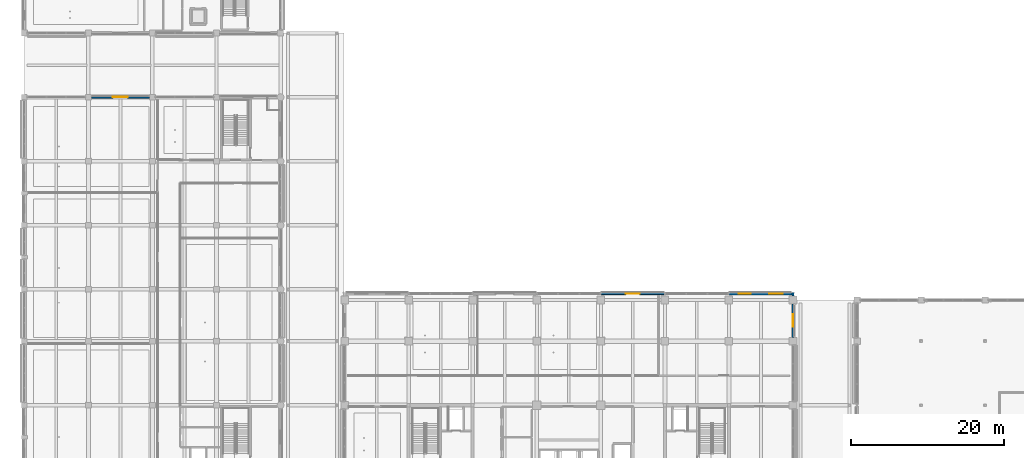
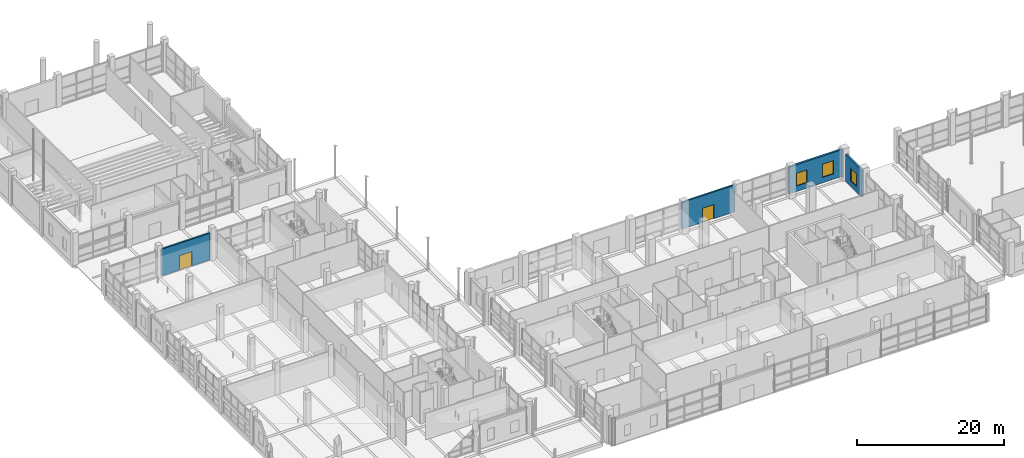
# One storey, part 62 of 140: 5 walls, 3 windows, 2 doors, 5 openings.
"""IFC4 building model written with IfcOpenShell, lengths in metres."""

from ifc_helpers import new_model, si_unit, direction, frame, frame_2d, origin, place, context, subcontext, project, spatial, rectangle, extrude, material, layer, layer_set, type_object, element, fill, save


model = new_model("IFC4")

# Units and contexts
model_context = context("Model", 3, precision=1e-05, world=origin(), true_north=direction((0.0, 1.0)))
body_context = subcontext(model_context, "Body", "Model", "MODEL_VIEW")
ifc_project = project(units=[si_unit("LENGTHUNIT", "METRE"), si_unit("AREAUNIT", "SQUARE_METRE"), si_unit("VOLUMEUNIT", "CUBIC_METRE"), si_unit("PLANEANGLEUNIT", "RADIAN"), si_unit("MASSUNIT", "GRAM", prefix="KILO")], contexts=[model_context])

# Site, building, storey
site_placement = place(None, origin())
site = spatial("IfcSite", under=ifc_project, at=site_placement, CompositionType="ELEMENT")
building_placement = place(site_placement, origin())
building = spatial("IfcBuilding", under=site, at=building_placement, Name="Telukmera Botanical Conservatory", CompositionType="ELEMENT")
storey_placement = place(building_placement, origin())
storey = spatial("IfcBuildingStorey", under=building, at=storey_placement, Name="L00", CompositionType="ELEMENT", Elevation=0.0)

# Wall, opening, door
ifc_material_1 = material(Name="Precast concrete C40/50", Category="concrete")
ifc_layer_1 = layer(ifc_material_1, 0.239990234375)
ifc_layer_set_1 = layer_set([ifc_layer_1], Name="Precast concrete C40/50")
wall_type_1 = type_object("IfcWallType", Name="Exterior Colonnade Recessed Precast Wall 240", PredefinedType="SOLIDWALL", material=ifc_layer_set_1)
wall_1_placement = place(storey_placement, frame((17.177001953125, 74.800048828125, 0.0), z_axis=(0.0, 0.0, 1.0), x_axis=(1.0, 0.0, 0.0)))
wall_1 = element("IfcWall", 1, at=wall_1_placement, inside=storey, type_object=wall_type_1, Name="Exterior Precast Wall EW05 V3:L00:N2", PredefinedType="SOLIDWALL", context=body_context, shape_type="SweptSolid", body=[
    extrude(rectangle(XDim=7.64599609375, YDim=0.239990234375, at=frame_2d((3.822998046875, 0.0))), origin(), (0.0, 0.0, 1.0), 4.449951171875),
])
opening_1_placement = place(wall_1_placement, frame((2.847900390625, 0.0, 0.0)))
opening_1 = element("IfcOpeningElement", 2, at=opening_1_placement, cuts=wall_1, Name="Opening D005", PredefinedType="OPENING", context=body_context, shape_type="SweptSolid", body=[
    extrude(rectangle(XDim=1.949951171875, YDim=2.39990234375, at=frame_2d((0.97509765625, 1.199951171875))), frame((0.0, 0.1298828125, 0.0), z_axis=(0.0, -1.0, 0.0), x_axis=(1.0, 0.0, 0.0)), (0.0, 0.0, 1.0), 0.260009765625),
])
ifc_material_2 = material(Name="Thermally broken anodised aluminium glazed door assembly", Category="aluminium")
door_type_1 = type_object("IfcDoorType", Name="Visitor Centre North Park Exit Double Door 1950x2400", OperationType="NOTDEFINED", PredefinedType="DOOR", material=ifc_material_2)
door_1_placement = place(opening_1_placement, origin())
door_1 = element("IfcDoor", 3, at=door_1_placement, inside=storey, type_object=door_type_1, Name="Exterior Door D005", OperationType="DOUBLE_DOOR_SINGLE_SWING", OverallHeight=2.39990234375, OverallWidth=1.949951171875, PredefinedType="DOOR", context=body_context, shape_type="SweptSolid", body=[
    extrude(rectangle(XDim=1.949951171875, YDim=2.39990234375, at=frame_2d((0.97509765625, 1.199951171875))), frame((0.0, 0.02490234375, 0.0), z_axis=(0.0, -1.0, 0.0), x_axis=(1.0, 0.0, 0.0)), (0.0, 0.0, 1.0), 0.050048828125),
])
fill(opening_1, door_1)

ifc_material_3 = material(Name="Granite-faced precast concrete C40/50", Category="masonry")
ifc_layer_2 = layer(ifc_material_3, 0.260009765625)
ifc_layer_set_2 = layer_set([ifc_layer_2], Name="Granite-faced precast concrete C40/50")
wall_type_2 = type_object("IfcWallType", Name="Exterior Granite Precast Plinth Wall 260", PredefinedType="SOLIDWALL", material=ifc_layer_set_2)
wall_2_placement = place(storey_placement, frame((84.001953125, 49.02001953125, 0.0), z_axis=(0.0, 0.0, 1.0), x_axis=(1.0, 0.0, 0.0)))
wall_2 = element("IfcWall", 4, at=wall_2_placement, inside=storey, type_object=wall_type_2, Name="Exterior Precast Wall EW01 V4:L00:N5", PredefinedType="SOLIDWALL", context=body_context, shape_type="SweptSolid", body=[
    extrude(rectangle(XDim=8.39599609375, YDim=0.260009765625, at=frame_2d((4.197998046875, 0.0))), origin(), (0.0, 0.0, 1.0), 4.449951171875),
])
opening_2_placement = place(wall_2_placement, frame((3.298095703125, 0.0, 0.0)))
opening_2 = element("IfcOpeningElement", 5, at=opening_2_placement, cuts=wall_2, Name="Opening D012", PredefinedType="OPENING", context=body_context, shape_type="SweptSolid", body=[
    extrude(rectangle(XDim=1.800048828125, YDim=2.35009765625, at=frame_2d((0.89990234375, 1.175048828125))), frame((0.0, 0.139892578125, 0.0), z_axis=(0.0, -1.0, 0.0), x_axis=(1.0, 0.0, 0.0)), (0.0, 0.0, 1.0), 0.280029296875),
])
door_type_2 = type_object("IfcDoorType", Name="Tower North Courtyard Final Exit Door 1800x2350", OperationType="NOTDEFINED", PredefinedType="DOOR", material=ifc_material_2)
door_2_placement = place(opening_2_placement, origin())
door_2 = element("IfcDoor", 6, at=door_2_placement, inside=storey, type_object=door_type_2, Name="Exterior Door D012", OperationType="DOUBLE_DOOR_SINGLE_SWING", OverallHeight=2.35009765625, OverallWidth=1.800048828125, PredefinedType="DOOR", context=body_context, shape_type="SweptSolid", body=[
    extrude(rectangle(XDim=1.800048828125, YDim=2.35009765625, at=frame_2d((0.89990234375, 1.175048828125))), frame((0.0, 0.02490234375, 0.0), z_axis=(0.0, -1.0, 0.0), x_axis=(1.0, 0.0, 0.0)), (0.0, 0.0, 1.0), 0.050048828125),
])
fill(opening_2, door_2)

# Wall
ifc_material_4 = material(Name="Terracotta-faced precast concrete C40/50", Category="masonry")
ifc_layer_3 = layer(ifc_material_4, 0.300048828125)
ifc_layer_set_3 = layer_set([ifc_layer_3], Name="Terracotta-faced precast concrete C40/50")
wall_type_3 = type_object("IfcWallType", Name="Exterior Polychrome Terracotta Precast Wall 300", PredefinedType="SOLIDWALL", material=ifc_layer_set_3)
wall_3_placement = place(storey_placement, frame((109.199951171875, 48.701904296875, 0.0), z_axis=(0.0, 0.0, 1.0), x_axis=(0.0, 1.0, 0.0)))
element("IfcWall", 7, at=wall_3_placement, inside=storey, type_object=wall_type_3, Name="Exterior Precast Wall EW02 V4:L00:NEC", PredefinedType="SOLIDWALL", context=body_context, shape_type="SweptSolid", body=[
    extrude(rectangle(XDim=0.498046875, YDim=0.300048828125, at=frame_2d((0.2490234375, 0.0))), origin(), (0.0, 0.0, 1.0), 4.449951171875),
])

# Wall, openings, windows
wall_4_placement = place(storey_placement, frame((100.802001953125, 49.02001953125, 0.0), z_axis=(0.0, 0.0, 1.0), x_axis=(1.0, 0.0, 0.0)))
wall_4 = element("IfcWall", 8, at=wall_4_placement, inside=storey, type_object=wall_type_3, Name="Exterior Precast Wall EW02 V4:L00:N7", PredefinedType="SOLIDWALL", context=body_context, shape_type="SweptSolid", body=[
    extrude(rectangle(XDim=8.24609375, YDim=0.300048828125, at=frame_2d((4.123046875, 0.0))), origin(), (0.0, 0.0, 1.0), 4.449951171875),
])
opening_3_placement = place(wall_4_placement, frame((1.261474609375, 0.0, 0.89990234375)))
opening_3 = element("IfcOpeningElement", 9, at=opening_3_placement, cuts=wall_4, Name="Opening W07", PredefinedType="OPENING", context=body_context, shape_type="SweptSolid", body=[
    extrude(rectangle(XDim=1.60009765625, YDim=2.10009765625, at=frame_2d((0.800048828125, 1.050048828125))), frame((0.0, 0.159912109375, 0.0), z_axis=(0.0, -1.0, 0.0), x_axis=(1.0, 0.0, 0.0)), (0.0, 0.0, 1.0), 0.320068359375),
])
opening_4_placement = place(wall_4_placement, frame((5.3095703125, 0.0, 0.89990234375)))
opening_4 = element("IfcOpeningElement", 10, at=opening_4_placement, cuts=wall_4, Name="Opening W08", PredefinedType="OPENING", context=body_context, shape_type="SweptSolid", body=[
    extrude(rectangle(XDim=1.75, YDim=2.199951171875, at=frame_2d((0.875, 1.10009765625))), frame((0.0, 0.159912109375, 0.0), z_axis=(0.0, -1.0, 0.0), x_axis=(1.0, 0.0, 0.0)), (0.0, 0.0, 1.0), 0.320068359375),
])
ifc_material_5 = material(Name="Thermally broken anodised aluminium frame with low-E double glazing", Category="aluminium")
window_type_1 = type_object("IfcWindowType", Name="Double Vertical Curation Study Window 1600x2100", PartitioningType="DOUBLE_PANEL_VERTICAL", PredefinedType="WINDOW", material=ifc_material_5)
window_1_placement = place(opening_3_placement, origin())
window_1 = element("IfcWindow", 11, at=window_1_placement, inside=storey, type_object=window_type_1, Name="Facade Window W07 V4:L00:N7 1", OverallHeight=2.10009765625, OverallWidth=1.60009765625, PartitioningType="DOUBLE_PANEL_VERTICAL", PredefinedType="WINDOW", context=body_context, shape_type="SweptSolid", body=[
    extrude(rectangle(XDim=1.60009765625, YDim=2.10009765625, at=frame_2d((0.800048828125, 1.050048828125))), frame((0.0, 0.030029296875, 0.0), z_axis=(0.0, -1.0, 0.0), x_axis=(1.0, 0.0, 0.0)), (0.0, 0.0, 1.0), 0.06005859375),
])
fill(opening_3, window_1)
window_type_2 = type_object("IfcWindowType", Name="Double Vertical Library Reading Window 1750x2200", PartitioningType="DOUBLE_PANEL_VERTICAL", PredefinedType="WINDOW", material=ifc_material_5)
window_2_placement = place(opening_4_placement, origin())
window_2 = element("IfcWindow", 12, at=window_2_placement, inside=storey, type_object=window_type_2, Name="Facade Window W08 V4:L00:N7 2", OverallHeight=2.199951171875, OverallWidth=1.75, PartitioningType="DOUBLE_PANEL_VERTICAL", PredefinedType="WINDOW", context=body_context, shape_type="SweptSolid", body=[
    extrude(rectangle(XDim=1.75, YDim=2.199951171875, at=frame_2d((0.875, 1.10009765625))), frame((0.0, 0.030029296875, 0.0), z_axis=(0.0, -1.0, 0.0), x_axis=(1.0, 0.0, 0.0)), (0.0, 0.0, 1.0), 0.06005859375),
])
fill(opening_4, window_2)

# Wall, opening, window
wall_5_placement = place(storey_placement, frame((109.199951171875, 43.302001953125, 0.0), z_axis=(0.0, 0.0, 1.0), x_axis=(0.0, 1.0, 0.0)))
wall_5 = element("IfcWall", 13, at=wall_5_placement, inside=storey, type_object=wall_type_3, Name="Exterior Precast Wall EW02 V4:L00:E5", PredefinedType="SOLIDWALL", context=body_context, shape_type="SweptSolid", body=[
    extrude(rectangle(XDim=4.39599609375, YDim=0.300048828125, at=frame_2d((2.197998046875, 0.0))), origin(), (0.0, 0.0, 1.0), 4.449951171875),
])
opening_5_placement = place(wall_5_placement, frame((1.39794921875, 0.0, 0.89990234375)))
opening_5 = element("IfcOpeningElement", 14, at=opening_5_placement, cuts=wall_5, Name="Opening W07", PredefinedType="OPENING", context=body_context, shape_type="SweptSolid", body=[
    extrude(rectangle(XDim=1.60009765625, YDim=2.10009765625, at=frame_2d((0.800048828125, 1.050048828125))), frame((0.0, 0.159912109375, 0.0), z_axis=(0.0, -1.0, 0.0), x_axis=(1.0, 0.0, 0.0)), (0.0, 0.0, 1.0), 0.320068359375),
])
window_3_placement = place(opening_5_placement, origin())
window_3 = element("IfcWindow", 15, at=window_3_placement, inside=storey, type_object=window_type_1, Name="Facade Window W07 V4:L00:E5", OverallHeight=2.10009765625, OverallWidth=1.60009765625, PartitioningType="DOUBLE_PANEL_VERTICAL", PredefinedType="WINDOW", context=body_context, shape_type="SweptSolid", body=[
    extrude(rectangle(XDim=1.60009765625, YDim=2.10009765625, at=frame_2d((0.800048828125, 1.050048828125))), frame((0.0, 0.030029296875, 0.0), z_axis=(0.0, -1.0, 0.0), x_axis=(1.0, 0.0, 0.0)), (0.0, 0.0, 1.0), 0.06005859375),
])
fill(opening_5, window_3)

save(model, "model.ifc")
